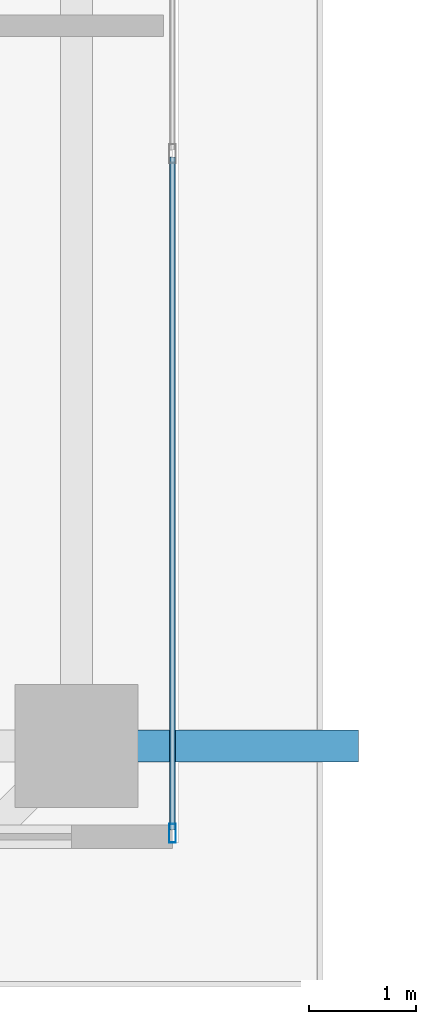
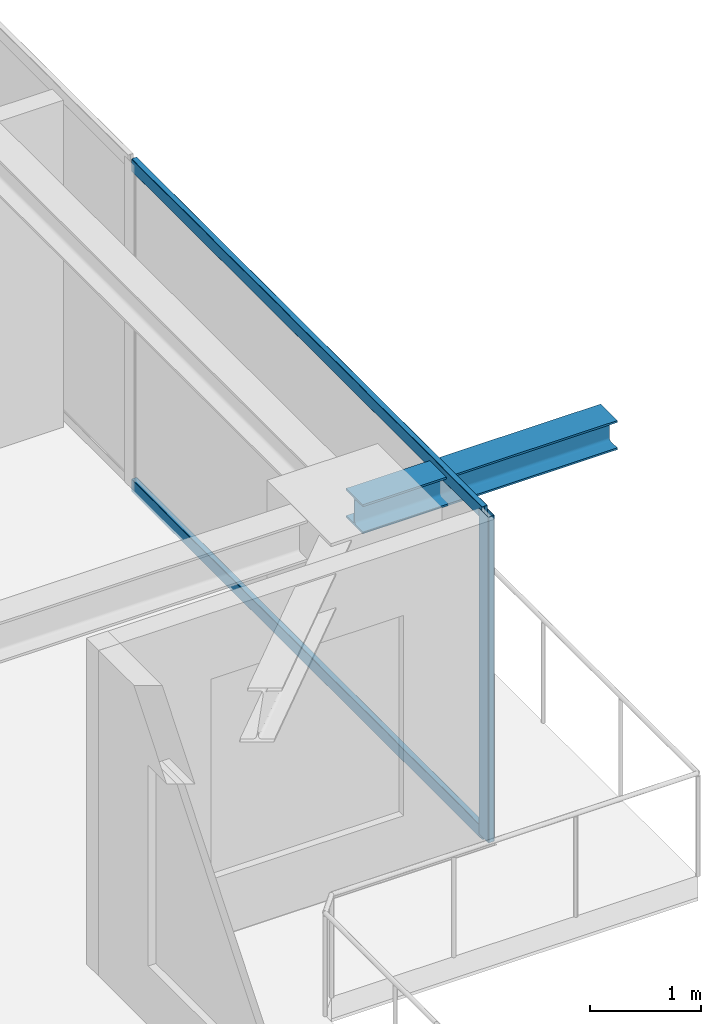
# One storey, part 14 of 36: 3 members, 1 beam, 1 element without a shape of its own.
"""IFC4 building model written with IfcOpenShell, lengths in metres."""

from ifc_helpers import new_model, si_unit, direction, frame, origin, origin_2d, place, context, subcontext, project, spatial, hollow_rectangle, i_section, extrude, source, transform, mapped, material, layer, layer_set, material_profile, profile_set, type_object, element, aggregate, save


model = new_model("IFC4")

# Units and contexts
model_context = context("Model", 3, precision=1e-05, world=origin(), true_north=direction((0.0, 1.0)))
body_context = subcontext(model_context, "Body", "Model", "MODEL_VIEW")
ifc_project = project(units=[si_unit("LENGTHUNIT", "METRE"), si_unit("AREAUNIT", "SQUARE_METRE"), si_unit("VOLUMEUNIT", "CUBIC_METRE"), si_unit("PLANEANGLEUNIT", "RADIAN"), si_unit("MASSUNIT", "GRAM", prefix="KILO")], contexts=[model_context])

# Site, building, storey
site_placement = place(None, origin())
site = spatial("IfcSite", under=ifc_project, at=site_placement, CompositionType="ELEMENT")
building_placement = place(site_placement, origin())
building = spatial("IfcBuilding", under=site, at=building_placement, Name="Serunith Strait Residences", CompositionType="ELEMENT")
storey_placement = place(building_placement, frame((0.0, 0.0, 225.85009765625)))
storey = spatial("IfcBuildingStorey", under=building, at=storey_placement, Name="L56", CompositionType="ELEMENT", Elevation=225.85009765625)

# Beam
ifc_material_1 = material(Name="Steel S355J2", Category="steel")
ifc_material_profile_1 = material_profile(ifc_material_1, i_section(OverallWidth=0.300048828125, OverallDepth=0.320068359375, WebThickness=0.011474609375, FlangeThickness=0.0205078125, FilletRadius=0.027099609375, at=origin_2d()), Name="HEB 320")
ifc_profile_set_1 = profile_set([ifc_material_profile_1], Name="Steel S355J2")
beam_type = type_object("IfcBeamType", Name="BM-HEB320", PredefinedType="BEAM", material=ifc_profile_set_1)
shared_shape_1 = source(origin(), body_context, "Body", "SweptSolid", [
    extrude(i_section(OverallWidth=0.300048828125, OverallDepth=0.320068359375, WebThickness=0.011474609375, FlangeThickness=0.0205078125, FilletRadius=0.027099609375, at=origin_2d()), origin(), (0.0, 0.0, 1.0), 2.643798828125),
])
beam_placement = place(storey_placement, frame((56.5, 10.050048828125, 3.39697265625), z_axis=(1.0, 0.0, 0.0), x_axis=(0.0, 1.0, 0.0)))
element("IfcBeam", 1, at=beam_placement, inside=storey, type_object=beam_type, Name="L57 Cantilevered Balcony Rib TC-E1", PredefinedType="BEAM", context=body_context, shape_type="MappedRepresentation", body=[
    mapped(shared_shape_1, transform((0.0, 0.0, 0.0), scale=1.0)),
])

# Curtain wall, members
ifc_material_2 = material(Name="Pale-Champagne Anodised Aluminium", Category="aluminium")
ifc_layer = layer(ifc_material_2, 0.199951171875, Name="Pale-Champagne Anodised Aluminium")
ifc_layer_set = layer_set([ifc_layer], Name="Pale-Champagne Anodised Aluminium")
curtain_wall_type = type_object("IfcCurtainWallType", Name="CW-SYS4", PredefinedType="NOTDEFINED", material=ifc_layer_set)
curtain_wall_placement = place(storey_placement, origin())
curtain_wall = element("IfcCurtainWall", 2, at=curtain_wall_placement, inside=storey, type_object=curtain_wall_type, Name="L56 E Unitised Fritted Curtain Wall", PredefinedType="NOTDEFINED")
ifc_material_profile_2 = material_profile(ifc_material_2, hollow_rectangle(XDim=0.06494140625, YDim=0.179931640625, WallThickness=0.00341796875, InnerFilletRadius=0.00537109375, OuterFilletRadius=0.0087890625, at=origin_2d()), Name="ALU 180x65x3.5")
ifc_profile_set_2 = profile_set([ifc_material_profile_2], Name="Pale-Champagne Anodised Aluminium")
member_type_1 = type_object("IfcMemberType", Name="CW-SYS4-MULL", PredefinedType="MULLION", material=ifc_profile_set_2)
shared_shape_2 = source(origin(), body_context, "Body", "SweptSolid", [
    extrude(hollow_rectangle(XDim=0.06494140625, YDim=0.179931640625, WallThickness=0.00341796875, InnerFilletRadius=0.00537109375, OuterFilletRadius=0.0087890625, at=origin_2d()), origin(), (0.0, 0.0, 1.0), 3.574951171875),
])
member_1_placement = place(storey_placement, frame((57.39990234375, 9.232421875, 0.0), z_axis=(0.0, 0.0, 1.0), x_axis=(-1.0, 0.0, 0.0)))
member_1 = element("IfcMember", 3, at=member_1_placement, type_object=member_type_1, Name="CW-4 mullion 1", PredefinedType="MULLION", context=body_context, shape_type="MappedRepresentation", body=[
    mapped(shared_shape_2, transform((0.0, 0.0, 0.0), scale=1.0)),
])
ifc_material_profile_3 = material_profile(ifc_material_2, hollow_rectangle(XDim=0.06005859375, YDim=0.139892578125, WallThickness=0.00341796875, InnerFilletRadius=0.00537109375, OuterFilletRadius=0.0087890625, at=origin_2d()), Name="ALU 140x60x3.5")
ifc_profile_set_3 = profile_set([ifc_material_profile_3], Name="Pale-Champagne Anodised Aluminium")
member_type_2 = type_object("IfcMemberType", Name="CW-SYS4-TRAN", PredefinedType="USERDEFINED", material=ifc_profile_set_3)
shared_shape_3 = source(origin(), body_context, "Body", "SweptSolid", [
    extrude(hollow_rectangle(XDim=0.06005859375, YDim=0.139892578125, WallThickness=0.00341796875, InnerFilletRadius=0.00537109375, OuterFilletRadius=0.0087890625, at=origin_2d()), origin(), (0.0, 0.0, 1.0), 6.302490234375),
])
member_2_placement = place(storey_placement, frame((57.39990234375, 9.264892578125, 0.02978515625), z_axis=(0.0, 1.0, 0.0), x_axis=(-1.0, 0.0, 0.0)))
member_2 = element("IfcMember", 4, at=member_2_placement, type_object=member_type_2, Name="CW-4 transom 1.1", ObjectType="TRANSOM", PredefinedType="USERDEFINED", context=body_context, shape_type="MappedRepresentation", body=[
    mapped(shared_shape_3, transform((0.0, 0.0, 0.0), scale=1.0)),
])
member_3_placement = place(storey_placement, frame((57.39990234375, 9.264892578125, 3.544921875), z_axis=(0.0, 1.0, 0.0), x_axis=(-1.0, 0.0, 0.0)))
member_3 = element("IfcMember", 5, at=member_3_placement, type_object=member_type_2, Name="CW-4 transom 1.2", ObjectType="TRANSOM", PredefinedType="USERDEFINED", context=body_context, shape_type="MappedRepresentation", body=[
    mapped(shared_shape_3, transform((0.0, 0.0, 0.0), scale=1.0)),
])
aggregate(curtain_wall, [member_1, member_2, member_3])

save(model, "model.ifc")
